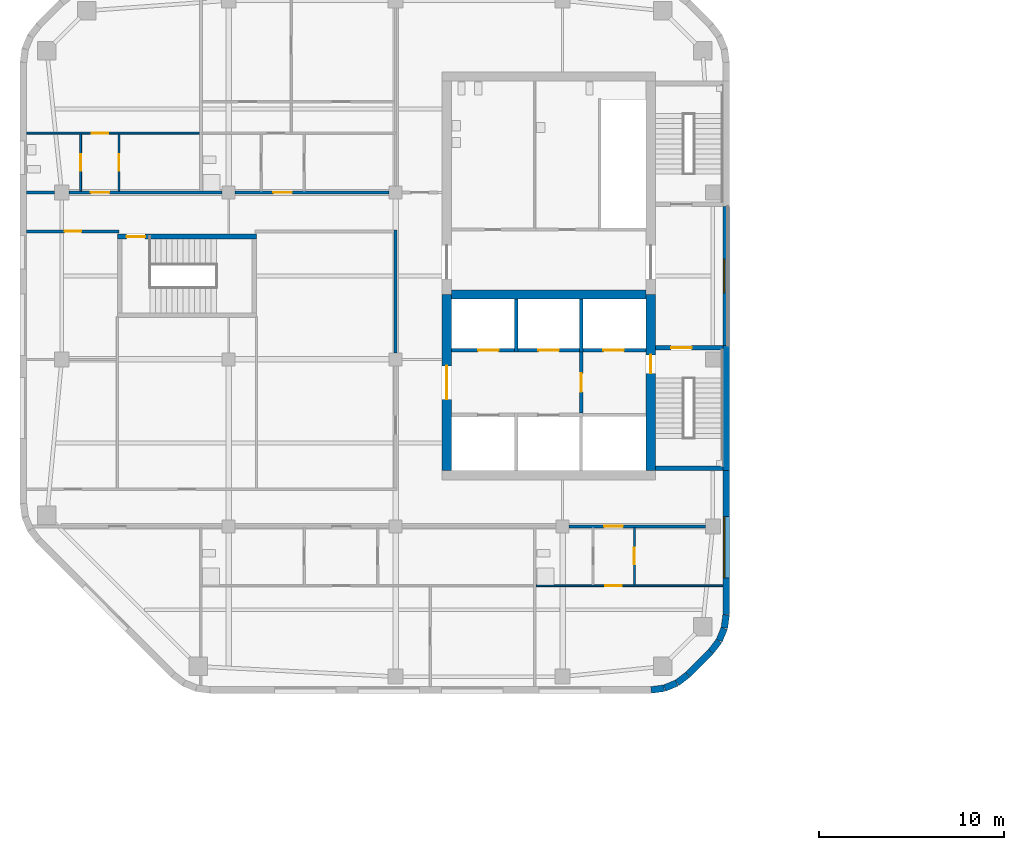
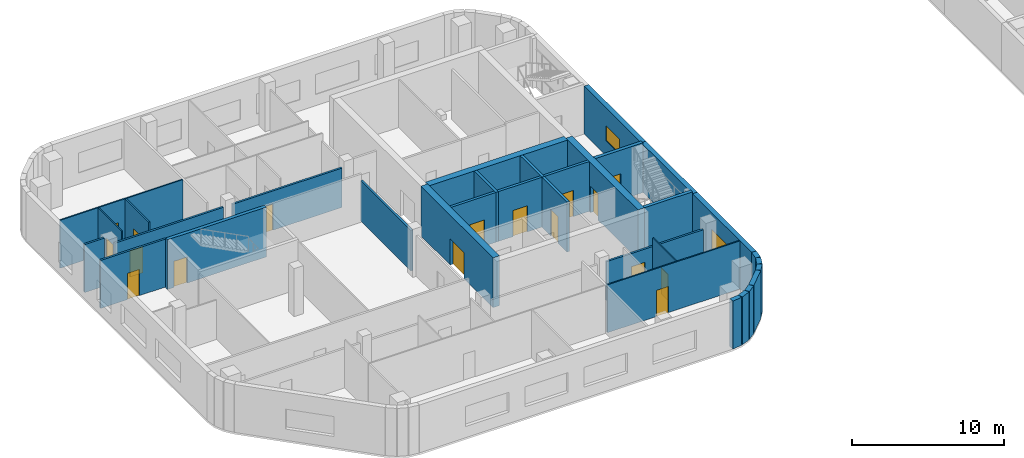
# One storey, part 6 of 16: 33 walls, 17 doors, 2 windows, 19 openings.
"""IFC4 building model written with IfcOpenShell, lengths in metres."""

from ifc_helpers import new_model, si_unit, direction, frame, frame_2d, origin, place, context, subcontext, project, spatial, rectangle, extrude, material, layer, layer_set, type_object, element, fill, save


model = new_model("IFC4")

# Units and contexts
model_context = context("Model", 3, precision=1e-05, world=origin(), true_north=direction((0.0, 1.0)))
body_context = subcontext(model_context, "Body", "Model", "MODEL_VIEW")
ifc_project = project(units=[si_unit("LENGTHUNIT", "METRE"), si_unit("AREAUNIT", "SQUARE_METRE"), si_unit("VOLUMEUNIT", "CUBIC_METRE"), si_unit("PLANEANGLEUNIT", "RADIAN"), si_unit("MASSUNIT", "GRAM", prefix="KILO")], contexts=[model_context])

# Site, building, storey
site_placement = place(None, origin())
site = spatial("IfcSite", under=ifc_project, at=site_placement, CompositionType="ELEMENT")
building_placement = place(site_placement, origin())
building = spatial("IfcBuilding", under=site, at=building_placement, Name="Cinnabar Reach Civic Tower", CompositionType="ELEMENT")
storey_placement = place(building_placement, frame((0.0, 0.0, 79.0)))
storey = spatial("IfcBuildingStorey", under=building, at=storey_placement, Name="L18", CompositionType="ELEMENT", Elevation=79.0)

# Walls
ifc_material_1 = material(Name="Facing brick with insulated backing", Category="masonry")
ifc_layer_1 = layer(ifc_material_1, 0.36)
ifc_layer_set_1 = layer_set([ifc_layer_1], Name="Brick corner wall")
wall_type_1 = type_object("IfcWallType", Name="Brick corner wall", PredefinedType="STANDARD", material=ifc_layer_set_1)
for number, where, z_axis, x_axis, name in (
    (1, (-31.2314, 9.183, 0.0), (0.0, 0.0, 1.0), (0.99144092581, 0.13055608231, 0.0), "Brick corner wall"),
    (2, (-30.5027, 9.2819, 0.0), (0.0, 0.0, 1.0), (0.923871547278, 0.382702709855, 0.0), "Brick corner wall"),
):
    element("IfcWall", number, at=place(storey_placement, frame(where, z_axis=z_axis, x_axis=x_axis)), inside=storey, type_object=wall_type_1, Name=name, PredefinedType="STANDARD", context=body_context, shape_type="SweptSolid", body=[
        extrude(rectangle(XDim=0.7131, YDim=0.36, at=frame_2d((0.3565, 0.0))), origin(), (0.0, 0.0, 1.0), 3.85),
    ])
for number, where, z_axis, x_axis, name in (
    (3, (-29.8245, 9.566, 0.0), (0.0, 0.0, 1.0), (0.793321924995, 0.608802368033, 0.0), "Brick corner wall"),
    (4, (-28.0002, 11.2587, 0.0), (0.0, 0.0, 1.0), (0.608802368033, 0.793321924995, 0.0), "Brick corner wall"),
):
    element("IfcWall", number, at=place(storey_placement, frame(where, z_axis=z_axis, x_axis=x_axis)), inside=storey, type_object=wall_type_1, Name=name, PredefinedType="STANDARD", context=body_context, shape_type="SweptSolid", body=[
        extrude(rectangle(XDim=0.7132, YDim=0.36, at=frame_2d((0.3566, 0.0))), origin(), (0.0, 0.0, 1.0), 3.85),
    ])
for number, where, z_axis, x_axis, name in (
    (5, (-27.5548, 11.8439, 0.0), (0.0, 0.0, 1.0), (0.382702709855, 0.923871547278, 0.0), "Brick corner wall"),
    (6, (-27.2761, 12.5244, 0.0), (0.0, 0.0, 1.0), (0.13055608231, 0.99144092581, 0.0), "Brick corner wall"),
):
    element("IfcWall", number, at=place(storey_placement, frame(where, z_axis=z_axis, x_axis=x_axis)), inside=storey, type_object=wall_type_1, Name=name, PredefinedType="STANDARD", context=body_context, shape_type="SweptSolid", body=[
        extrude(rectangle(XDim=0.7131, YDim=0.36, at=frame_2d((0.3565, 0.0))), origin(), (0.0, 0.0, 1.0), 3.85),
    ])
ifc_layer_2 = layer(ifc_material_1, 0.36)
ifc_layer_set_2 = layer_set([ifc_layer_2], Name="Brick pier and spandrel wall")
wall_type_2 = type_object("IfcWallType", Name="Brick pier and spandrel wall", PredefinedType="STANDARD", material=ifc_layer_set_2)
wall_1_placement = place(storey_placement, frame((-29.2486, 10.006, 0.0), z_axis=(0.0, 0.0, 1.0), x_axis=(0.707106781187, 0.707106781187, 0.0)))
element("IfcWall", 7, at=wall_1_placement, inside=storey, type_object=wall_type_2, Name="Brick facade wall", PredefinedType="STANDARD", context=body_context, shape_type="SweptSolid", body=[
    extrude(rectangle(XDim=1.7573, YDim=0.36, at=frame_2d((0.8787, 0.0))), origin(), (0.0, 0.0, 1.0), 3.85),
])

# Wall, opening, window
wall_2_placement = place(storey_placement, frame((-27.18, 13.2426, 0.0), z_axis=(0.0, 0.0, 1.0), x_axis=(0.0, 1.0, 0.0)))
wall_2 = element("IfcWall", 8, at=wall_2_placement, inside=storey, type_object=wall_type_2, Name="Brick facade wall", PredefinedType="STANDARD", context=body_context, shape_type="SweptSolid", body=[
    extrude(rectangle(XDim=7.7574, YDim=0.36, at=frame_2d((3.8787, 0.0))), origin(), (0.0, 0.0, 1.0), 3.85),
])
opening_1_placement = place(wall_2_placement, frame((1.9824, 0.0, 0.9)))
opening_1 = element("IfcOpeningElement", 9, at=opening_1_placement, cuts=wall_2, Name="Opening W2590", PredefinedType="OPENING", context=body_context, shape_type="SweptSolid", body=[
    extrude(rectangle(XDim=3.3, YDim=1.6, at=frame_2d((1.65, 0.8))), frame((0.0, 0.19, 0.0), z_axis=(0.0, -1.0, 0.0), x_axis=(1.0, 0.0, 0.0)), (0.0, 0.0, 1.0), 0.38),
])
ifc_material_2 = material(Name="Clear double glazing in aluminium frame", Category="aluminium")
window_type_1 = type_object("IfcWindowType", Name="Deep-set window A", PartitioningType="SINGLE_PANEL", PredefinedType="WINDOW", material=ifc_material_2)
window_1_placement = place(opening_1_placement, origin())
window_1 = element("IfcWindow", 10, at=window_1_placement, inside=storey, type_object=window_type_1, Name="Window east face", OverallHeight=1.6, OverallWidth=3.3, PartitioningType="SINGLE_PANEL", PredefinedType="WINDOW", context=body_context, shape_type="SweptSolid", body=[
    extrude(rectangle(XDim=3.3, YDim=1.6, at=frame_2d((1.65, 0.8))), frame((0.0, 0.13, 0.0), z_axis=(0.0, -1.0, 0.0), x_axis=(1.0, 0.0, 0.0)), (0.0, 0.0, 1.0), 0.06),
])
fill(opening_1, window_1)

# Wall
wall_3_placement = place(storey_placement, frame((-27.18, 21.0, 0.0), z_axis=(0.0, 0.0, 1.0), x_axis=(0.0, 1.0, 0.0)))
element("IfcWall", 11, at=wall_3_placement, inside=storey, type_object=wall_type_2, Name="Brick facade wall", PredefinedType="STANDARD", context=body_context, shape_type="SweptSolid", body=[
    extrude(rectangle(XDim=6.75, YDim=0.36, at=frame_2d((3.375, 0.0))), origin(), (0.0, 0.0, 1.0), 3.85),
])

# Wall, opening, window
wall_4_placement = place(storey_placement, frame((-27.18, 27.75, 0.0), z_axis=(0.0, 0.0, 1.0), x_axis=(0.0, 1.0, 0.0)))
wall_4 = element("IfcWall", 12, at=wall_4_placement, inside=storey, type_object=wall_type_2, Name="Brick facade wall", PredefinedType="STANDARD", context=body_context, shape_type="SweptSolid", body=[
    extrude(rectangle(XDim=7.5, YDim=0.36, at=frame_2d((3.75, 0.0))), origin(), (0.0, 0.0, 1.0), 3.85),
])
opening_2_placement = place(wall_4_placement, frame((2.85, 0.0, 1.2)))
opening_2 = element("IfcOpeningElement", 13, at=opening_2_placement, cuts=wall_4, Name="Opening W2591", PredefinedType="OPENING", context=body_context, shape_type="SweptSolid", body=[
    extrude(rectangle(XDim=1.8, YDim=1.2, at=frame_2d((0.9, 0.6))), frame((0.0, 0.19, 0.0), z_axis=(0.0, -1.0, 0.0), x_axis=(1.0, 0.0, 0.0)), (0.0, 0.0, 1.0), 0.38),
])
window_type_2 = type_object("IfcWindowType", Name="Deep-set window C", PartitioningType="SINGLE_PANEL", PredefinedType="WINDOW", material=ifc_material_2)
window_2_placement = place(opening_2_placement, origin())
window_2 = element("IfcWindow", 14, at=window_2_placement, inside=storey, type_object=window_type_2, Name="Window east face", OverallHeight=1.2, OverallWidth=1.8, PartitioningType="SINGLE_PANEL", PredefinedType="WINDOW", context=body_context, shape_type="SweptSolid", body=[
    extrude(rectangle(XDim=1.8, YDim=1.2, at=frame_2d((0.9, 0.6))), frame((0.0, 0.13, 0.0), z_axis=(0.0, -1.0, 0.0), x_axis=(1.0, 0.0, 0.0)), (0.0, 0.0, 1.0), 0.06),
])
fill(opening_2, window_2)

# Wall, opening, door
ifc_material_3 = material(Name="Concrete C60", Category="concrete")
ifc_layer_3 = layer(ifc_material_3, 0.5)
ifc_layer_set_3 = layer_set([ifc_layer_3], Name="Core wall 500 EI 180")
wall_type_3 = type_object("IfcWallType", Name="Core wall 500 EI 180", PredefinedType="SOLIDWALL", material=ifc_layer_set_3)
wall_5_placement = place(storey_placement, frame((-31.25, 21.0, 0.0), z_axis=(0.0, 0.0, 1.0), x_axis=(0.0, 1.0, 0.0)))
wall_5 = element("IfcWall", 15, at=wall_5_placement, inside=storey, type_object=wall_type_3, Name="Core wall T2 L18 E", PredefinedType="SOLIDWALL", context=body_context, shape_type="SweptSolid", body=[
    extrude(rectangle(XDim=9.5, YDim=0.5, at=frame_2d((4.75, 0.0))), origin(), (0.0, 0.0, 1.0), 4.0),
])
opening_3_placement = place(wall_5_placement, frame((5.25, 0.0, 0.0)))
opening_3 = element("IfcOpeningElement", 16, at=opening_3_placement, cuts=wall_5, Name="Opening D6672", PredefinedType="OPENING", context=body_context, shape_type="SweptSolid", body=[
    extrude(rectangle(XDim=1.0, YDim=2.1, at=frame_2d((0.5, 1.05))), frame((0.0, 0.26, 0.0), z_axis=(0.0, -1.0, 0.0), x_axis=(1.0, 0.0, 0.0)), (0.0, 0.0, 1.0), 0.52),
])
ifc_material_4 = material(Name="Steel fire door", Category="steel")
door_type_1 = type_object("IfcDoorType", Name="T2 Firefighting lobby door 1000", OperationType="SINGLE_SWING_LEFT", PredefinedType="DOOR", material=ifc_material_4)
door_1_placement = place(opening_3_placement, frame((1.0, 0.0, 0.0), z_axis=(0.0, 0.0, 1.0), x_axis=(-1.0, 0.0, 0.0)))
door_1 = element("IfcDoor", 17, at=door_1_placement, inside=storey, type_object=door_type_1, Name="T2 Firefighting lobby door D6672", OperationType="SINGLE_SWING_LEFT", OverallHeight=2.1, OverallWidth=1.0, PredefinedType="DOOR", context=body_context, shape_type="SweptSolid", body=[
    extrude(rectangle(XDim=1.0, YDim=2.1, at=frame_2d((0.5, 1.05))), frame((0.0, 0.025, 0.0), z_axis=(0.0, -1.0, 0.0), x_axis=(1.0, 0.0, 0.0)), (0.0, 0.0, 1.0), 0.05),
])
fill(opening_3, door_1)

wall_6_placement = place(storey_placement, frame((-42.25, 30.5, 0.0), z_axis=(0.0, 0.0, 1.0), x_axis=(0.0, -1.0, 0.0)))
wall_6 = element("IfcWall", 18, at=wall_6_placement, inside=storey, type_object=wall_type_3, Name="Core wall T2 L18 W2", PredefinedType="SOLIDWALL", context=body_context, shape_type="SweptSolid", body=[
    extrude(rectangle(XDim=9.5, YDim=0.5, at=frame_2d((4.75, 0.0))), origin(), (0.0, 0.0, 1.0), 4.0),
])
opening_4_placement = place(wall_6_placement, frame((3.85, 0.0, 0.0)))
opening_4 = element("IfcOpeningElement", 19, at=opening_4_placement, cuts=wall_6, Name="Opening D6676", PredefinedType="OPENING", context=body_context, shape_type="SweptSolid", body=[
    extrude(rectangle(XDim=1.8, YDim=2.1, at=frame_2d((0.9, 1.05))), frame((0.0, 0.26, 0.0), z_axis=(0.0, -1.0, 0.0), x_axis=(1.0, 0.0, 0.0)), (0.0, 0.0, 1.0), 0.52),
])
door_type_2 = type_object("IfcDoorType", Name="T2 Double door 1800", OperationType="DOUBLE_DOOR_SINGLE_SWING", PredefinedType="DOOR", material=ifc_material_4)
door_2_placement = place(opening_4_placement, origin())
door_2 = element("IfcDoor", 20, at=door_2_placement, inside=storey, type_object=door_type_2, Name="T2 Double door D6676", OperationType="DOUBLE_DOOR_SINGLE_SWING", OverallHeight=2.1, OverallWidth=1.8, PredefinedType="DOOR", context=body_context, shape_type="SweptSolid", body=[
    extrude(rectangle(XDim=1.8, YDim=2.1, at=frame_2d((0.9, 1.05))), frame((0.0, 0.025, 0.0), z_axis=(0.0, -1.0, 0.0), x_axis=(1.0, 0.0, 0.0)), (0.0, 0.0, 1.0), 0.05),
])
fill(opening_4, door_2)

# Wall
wall_7_placement = place(storey_placement, frame((-42.0, 30.5, 0.0), z_axis=(0.0, 0.0, 1.0), x_axis=(1.0, 0.0, 0.0)))
element("IfcWall", 21, at=wall_7_placement, inside=storey, type_object=wall_type_3, Name="Core spine wall T2 L18", PredefinedType="SOLIDWALL", context=body_context, shape_type="SweptSolid", body=[
    extrude(rectangle(XDim=10.5, YDim=0.5, at=frame_2d((5.25, 0.0))), origin(), (0.0, 0.0, 1.0), 4.0),
])

# Wall, opening, door
ifc_material_5 = material(Name="Gypsum board on steel studs, double layer", Category="steel")
ifc_layer_4 = layer(ifc_material_5, 0.15)
ifc_layer_set_4 = layer_set([ifc_layer_4], Name="Corridor wall 150 T2")
wall_type_4 = type_object("IfcWallType", Name="Corridor wall 150 T2", PredefinedType="PARTITIONING", material=ifc_layer_set_4)
wall_8_placement = place(storey_placement, frame((-35.65, 18.0, 0.0), z_axis=(0.0, 0.0, 1.0), x_axis=(1.0, 0.0, 0.0)))
wall_8 = element("IfcWall", 22, at=wall_8_placement, inside=storey, type_object=wall_type_4, Name="Corridor wall 1", PredefinedType="PARTITIONING", context=body_context, shape_type="SweptSolid", body=[
    extrude(rectangle(XDim=7.35, YDim=0.15, at=frame_2d((3.675, 0.0))), origin(), (0.0, 0.0, 1.0), 3.158),
])
opening_5_placement = place(wall_8_placement, frame((1.8934, 0.0, 0.0)))
opening_5 = element("IfcOpeningElement", 23, at=opening_5_placement, cuts=wall_8, Name="Opening D6690", PredefinedType="OPENING", context=body_context, shape_type="SweptSolid", body=[
    extrude(rectangle(XDim=1.0, YDim=2.1, at=frame_2d((0.5, 1.05))), frame((0.0, 0.085, 0.0), z_axis=(0.0, -1.0, 0.0), x_axis=(1.0, 0.0, 0.0)), (0.0, 0.0, 1.0), 0.17),
])
ifc_material_6 = material(Name="Timber door leaf in steel frame", Category="steel")
door_type_3 = type_object("IfcDoorType", Name="Tenancy entrance door 1000 x 2100 T2", OperationType="SINGLE_SWING_LEFT", PredefinedType="DOOR", material=ifc_material_6)
door_3_placement = place(opening_5_placement, frame((1.0, 0.0, 0.0), z_axis=(0.0, 0.0, 1.0), x_axis=(-1.0, 0.0, 0.0)))
door_3 = element("IfcDoor", 24, at=door_3_placement, inside=storey, type_object=door_type_3, Name="Door D6690", OperationType="SINGLE_SWING_LEFT", OverallHeight=2.1, OverallWidth=1.0, PredefinedType="DOOR", context=body_context, shape_type="SweptSolid", body=[
    extrude(rectangle(XDim=1.0, YDim=2.1, at=frame_2d((0.5, 1.05))), frame((0.0, 0.025, 0.0), z_axis=(0.0, -1.0, 0.0), x_axis=(1.0, 0.0, 0.0)), (0.0, 0.0, 1.0), 0.05),
])
fill(opening_5, door_3)

wall_9_placement = place(storey_placement, frame((-53.65, 36.0, 0.0), z_axis=(0.0, 0.0, 1.0), x_axis=(1.0, 0.0, 0.0)))
wall_9 = element("IfcWall", 25, at=wall_9_placement, inside=storey, type_object=wall_type_4, Name="Corridor wall 6", PredefinedType="PARTITIONING", context=body_context, shape_type="SweptSolid", body=[
    extrude(rectangle(XDim=8.3, YDim=0.15, at=frame_2d((4.15, 0.0))), origin(), (0.0, 0.0, 1.0), 3.158),
])
opening_6_placement = place(wall_9_placement, frame((2.055, 0.0, 0.0)))
opening_6 = element("IfcOpeningElement", 26, at=opening_6_placement, cuts=wall_9, Name="Opening D6701", PredefinedType="OPENING", context=body_context, shape_type="SweptSolid", body=[
    extrude(rectangle(XDim=1.0, YDim=2.1, at=frame_2d((0.5, 1.05))), frame((0.0, 0.085, 0.0), z_axis=(0.0, -1.0, 0.0), x_axis=(1.0, 0.0, 0.0)), (0.0, 0.0, 1.0), 0.17),
])
door_4_placement = place(opening_6_placement, origin())
door_4 = element("IfcDoor", 27, at=door_4_placement, inside=storey, type_object=door_type_3, Name="Door D6701", OperationType="SINGLE_SWING_RIGHT", OverallHeight=2.1, OverallWidth=1.0, PredefinedType="DOOR", context=body_context, shape_type="SweptSolid", body=[
    extrude(rectangle(XDim=1.0, YDim=2.1, at=frame_2d((0.5, 1.05))), frame((0.0, 0.025, 0.0), z_axis=(0.0, -1.0, 0.0), x_axis=(1.0, 0.0, 0.0)), (0.0, 0.0, 1.0), 0.05),
])
fill(opening_6, door_4)

wall_10_placement = place(storey_placement, frame((-62.6, 36.0, 0.0), z_axis=(0.0, 0.0, 1.0), x_axis=(1.0, 0.0, 0.0)))
wall_10 = element("IfcWall", 28, at=wall_10_placement, inside=storey, type_object=wall_type_4, Name="Corridor wall 7", PredefinedType="PARTITIONING", context=body_context, shape_type="SweptSolid", body=[
    extrude(rectangle(XDim=8.25, YDim=0.15, at=frame_2d((4.125, 0.0))), origin(), (0.0, 0.0, 1.0), 3.158),
])
opening_7_placement = place(wall_10_placement, frame((1.1709, 0.0, 0.0)))
opening_7 = element("IfcOpeningElement", 29, at=opening_7_placement, cuts=wall_10, Name="Opening D6694", PredefinedType="OPENING", context=body_context, shape_type="SweptSolid", body=[
    extrude(rectangle(XDim=1.0, YDim=2.1, at=frame_2d((0.5, 1.05))), frame((0.0, 0.085, 0.0), z_axis=(0.0, -1.0, 0.0), x_axis=(1.0, 0.0, 0.0)), (0.0, 0.0, 1.0), 0.17),
])
door_5_placement = place(opening_7_placement, origin())
door_5 = element("IfcDoor", 30, at=door_5_placement, inside=storey, type_object=door_type_3, Name="Door D6694", OperationType="SINGLE_SWING_RIGHT", OverallHeight=2.1, OverallWidth=1.0, PredefinedType="DOOR", context=body_context, shape_type="SweptSolid", body=[
    extrude(rectangle(XDim=1.0, YDim=2.1, at=frame_2d((0.5, 1.05))), frame((0.0, 0.025, 0.0), z_axis=(0.0, -1.0, 0.0), x_axis=(1.0, 0.0, 0.0)), (0.0, 0.0, 1.0), 0.05),
])
fill(opening_7, door_5)

# Walls
wall_11_placement = place(storey_placement, frame((-64.89, 36.0, 0.0), z_axis=(0.0, 0.0, 1.0), x_axis=(1.0, 0.0, 0.0)))
element("IfcWall", 31, at=wall_11_placement, inside=storey, type_object=wall_type_4, Name="Corridor wall 8", PredefinedType="PARTITIONING", context=body_context, shape_type="SweptSolid", body=[
    extrude(rectangle(XDim=1.49, YDim=0.15, at=frame_2d((0.745, 0.0))), origin(), (0.0, 0.0, 1.0), 3.85),
])
wall_12_placement = place(storey_placement, frame((-45.0, 27.35, 0.0), z_axis=(0.0, 0.0, 1.0), x_axis=(0.0, 1.0, 0.0)))
element("IfcWall", 32, at=wall_12_placement, inside=storey, type_object=wall_type_4, Name="Corridor wall 11", PredefinedType="PARTITIONING", context=body_context, shape_type="SweptSolid", body=[
    extrude(rectangle(XDim=6.625, YDim=0.15, at=frame_2d((3.3125, 0.0))), origin(), (0.0, 0.0, 1.0), 3.256),
])

# Wall, opening, door
wall_13_placement = place(storey_placement, frame((-64.89, 33.9, 0.0), z_axis=(0.0, 0.0, 1.0), x_axis=(1.0, 0.0, 0.0)))
wall_13 = element("IfcWall", 33, at=wall_13_placement, inside=storey, type_object=wall_type_4, Name="Corridor wall 13", PredefinedType="PARTITIONING", context=body_context, shape_type="SweptSolid", body=[
    extrude(rectangle(XDim=4.965, YDim=0.15, at=frame_2d((2.4825, 0.0))), origin(), (0.0, 0.0, 1.0), 3.85),
])
opening_8_placement = place(wall_13_placement, frame((2.05, 0.0, 0.0)))
opening_8 = element("IfcOpeningElement", 34, at=opening_8_placement, cuts=wall_13, Name="Opening D6703", PredefinedType="OPENING", context=body_context, shape_type="SweptSolid", body=[
    extrude(rectangle(XDim=0.9, YDim=2.1, at=frame_2d((0.45, 1.05))), frame((0.0, 0.085, 0.0), z_axis=(0.0, -1.0, 0.0), x_axis=(1.0, 0.0, 0.0)), (0.0, 0.0, 1.0), 0.17),
])
door_type_4 = type_object("IfcDoorType", Name="Single swing door 900 x 2100 T2", OperationType="SINGLE_SWING_LEFT", PredefinedType="DOOR", material=ifc_material_6)
door_6_placement = place(opening_8_placement, frame((0.9, 0.0, 0.0), z_axis=(0.0, 0.0, 1.0), x_axis=(-1.0, 0.0, 0.0)))
door_6 = element("IfcDoor", 35, at=door_6_placement, inside=storey, type_object=door_type_4, Name="Door D6703", OperationType="SINGLE_SWING_LEFT", OverallHeight=2.1, OverallWidth=0.9, PredefinedType="DOOR", context=body_context, shape_type="SweptSolid", body=[
    extrude(rectangle(XDim=0.9, YDim=2.1, at=frame_2d((0.45, 1.05))), frame((0.0, 0.025, 0.0), z_axis=(0.0, -1.0, 0.0), x_axis=(1.0, 0.0, 0.0)), (0.0, 0.0, 1.0), 0.05),
])
fill(opening_8, door_6)

ifc_material_7 = material(Name="Gypsum board on steel studs", Category="steel")
ifc_layer_5 = layer(ifc_material_7, 0.1)
ifc_layer_set_5 = layer_set([ifc_layer_5], Name="Partition wall 100 T2")
wall_type_5 = type_object("IfcWallType", Name="Partition wall 100 T2", PredefinedType="PARTITIONING", material=ifc_layer_set_5)
wall_14_placement = place(storey_placement, frame((-37.425, 14.8, 0.0), z_axis=(0.0, 0.0, 1.0), x_axis=(1.0, 0.0, 0.0)))
wall_14 = element("IfcWall", 36, at=wall_14_placement, inside=storey, type_object=wall_type_5, Name="Partition wall 17", PredefinedType="PARTITIONING", context=body_context, shape_type="SweptSolid", body=[
    extrude(rectangle(XDim=10.065, YDim=0.1, at=frame_2d((5.0325, 0.0))), origin(), (0.0, 0.0, 1.0), 3.85),
])
opening_9_placement = place(wall_14_placement, frame((3.7184, 0.0, 0.0)))
opening_9 = element("IfcOpeningElement", 37, at=opening_9_placement, cuts=wall_14, Name="Opening D6689", PredefinedType="OPENING", context=body_context, shape_type="SweptSolid", body=[
    extrude(rectangle(XDim=0.9, YDim=2.1, at=frame_2d((0.45, 1.05))), frame((0.0, 0.06, 0.0), z_axis=(0.0, -1.0, 0.0), x_axis=(1.0, 0.0, 0.0)), (0.0, 0.0, 1.0), 0.12),
])
door_7_placement = place(opening_9_placement, origin())
door_7 = element("IfcDoor", 38, at=door_7_placement, inside=storey, type_object=door_type_4, Name="Door D6689", OperationType="SINGLE_SWING_LEFT", OverallHeight=2.1, OverallWidth=0.9, PredefinedType="DOOR", context=body_context, shape_type="SweptSolid", body=[
    extrude(rectangle(XDim=0.9, YDim=2.1, at=frame_2d((0.45, 1.05))), frame((0.0, 0.025, 0.0), z_axis=(0.0, -1.0, 0.0), x_axis=(1.0, 0.0, 0.0)), (0.0, 0.0, 1.0), 0.05),
])
fill(opening_9, door_7)

wall_15_placement = place(storey_placement, frame((-64.89, 39.2, 0.0), z_axis=(0.0, 0.0, 1.0), x_axis=(1.0, 0.0, 0.0)))
wall_15 = element("IfcWall", 39, at=wall_15_placement, inside=storey, type_object=wall_type_5, Name="Partition wall 19", PredefinedType="PARTITIONING", context=body_context, shape_type="SweptSolid", body=[
    extrude(rectangle(XDim=9.315, YDim=0.1, at=frame_2d((4.6575, 0.0))), origin(), (0.0, 0.0, 1.0), 3.85),
])
opening_10_placement = place(wall_15_placement, frame((3.5109, 0.0, 0.0)))
opening_10 = element("IfcOpeningElement", 40, at=opening_10_placement, cuts=wall_15, Name="Opening D6693", PredefinedType="OPENING", context=body_context, shape_type="SweptSolid", body=[
    extrude(rectangle(XDim=0.9, YDim=2.1, at=frame_2d((0.45, 1.05))), frame((0.0, 0.06, 0.0), z_axis=(0.0, -1.0, 0.0), x_axis=(1.0, 0.0, 0.0)), (0.0, 0.0, 1.0), 0.12),
])
door_8_placement = place(opening_10_placement, frame((0.9, 0.0, 0.0), z_axis=(0.0, 0.0, 1.0), x_axis=(-1.0, 0.0, 0.0)))
door_8 = element("IfcDoor", 41, at=door_8_placement, inside=storey, type_object=door_type_4, Name="Door D6693", OperationType="SINGLE_SWING_LEFT", OverallHeight=2.1, OverallWidth=0.9, PredefinedType="DOOR", context=body_context, shape_type="SweptSolid", body=[
    extrude(rectangle(XDim=0.9, YDim=2.1, at=frame_2d((0.45, 1.05))), frame((0.0, 0.025, 0.0), z_axis=(0.0, -1.0, 0.0), x_axis=(1.0, 0.0, 0.0)), (0.0, 0.0, 1.0), 0.05),
])
fill(opening_10, door_8)

wall_16_placement = place(storey_placement, frame((-61.9791, 36.075, 0.0), z_axis=(0.0, 0.0, 1.0), x_axis=(0.0, 1.0, 0.0)))
wall_16 = element("IfcWall", 42, at=wall_16_placement, inside=storey, type_object=wall_type_5, Name="Partition wall 33", PredefinedType="PARTITIONING", context=body_context, shape_type="SweptSolid", body=[
    extrude(rectangle(XDim=3.075, YDim=0.1, at=frame_2d((1.5375, 0.0))), origin(), (0.0, 0.0, 1.0), 3.85),
])
opening_11_placement = place(wall_16_placement, frame((1.1, 0.0, 0.0)))
opening_11 = element("IfcOpeningElement", 43, at=opening_11_placement, cuts=wall_16, Name="Opening D6691", PredefinedType="OPENING", context=body_context, shape_type="SweptSolid", body=[
    extrude(rectangle(XDim=0.9, YDim=2.1, at=frame_2d((0.45, 1.05))), frame((0.0, 0.06, 0.0), z_axis=(0.0, -1.0, 0.0), x_axis=(1.0, 0.0, 0.0)), (0.0, 0.0, 1.0), 0.12),
])
door_9_placement = place(opening_11_placement, origin())
door_9 = element("IfcDoor", 44, at=door_9_placement, inside=storey, type_object=door_type_4, Name="Door D6691", OperationType="SINGLE_SWING_LEFT", OverallHeight=2.1, OverallWidth=0.9, PredefinedType="DOOR", context=body_context, shape_type="SweptSolid", body=[
    extrude(rectangle(XDim=0.9, YDim=2.1, at=frame_2d((0.45, 1.05))), frame((0.0, 0.025, 0.0), z_axis=(0.0, -1.0, 0.0), x_axis=(1.0, 0.0, 0.0)), (0.0, 0.0, 1.0), 0.05),
])
fill(opening_11, door_9)

wall_17_placement = place(storey_placement, frame((-59.9133, 36.075, 0.0), z_axis=(0.0, 0.0, 1.0), x_axis=(0.0, 1.0, 0.0)))
wall_17 = element("IfcWall", 45, at=wall_17_placement, inside=storey, type_object=wall_type_5, Name="Partition wall 34", PredefinedType="PARTITIONING", context=body_context, shape_type="SweptSolid", body=[
    extrude(rectangle(XDim=3.075, YDim=0.1, at=frame_2d((1.5375, 0.0))), origin(), (0.0, 0.0, 1.0), 3.85),
])
opening_12_placement = place(wall_17_placement, frame((1.1, 0.0, 0.0)))
opening_12 = element("IfcOpeningElement", 46, at=opening_12_placement, cuts=wall_17, Name="Opening D6692", PredefinedType="OPENING", context=body_context, shape_type="SweptSolid", body=[
    extrude(rectangle(XDim=0.9, YDim=2.1, at=frame_2d((0.45, 1.05))), frame((0.0, 0.06, 0.0), z_axis=(0.0, -1.0, 0.0), x_axis=(1.0, 0.0, 0.0)), (0.0, 0.0, 1.0), 0.12),
])
door_10_placement = place(opening_12_placement, origin())
door_10 = element("IfcDoor", 47, at=door_10_placement, inside=storey, type_object=door_type_4, Name="Door D6692", OperationType="SINGLE_SWING_LEFT", OverallHeight=2.1, OverallWidth=0.9, PredefinedType="DOOR", context=body_context, shape_type="SweptSolid", body=[
    extrude(rectangle(XDim=0.9, YDim=2.1, at=frame_2d((0.45, 1.05))), frame((0.0, 0.025, 0.0), z_axis=(0.0, -1.0, 0.0), x_axis=(1.0, 0.0, 0.0)), (0.0, 0.0, 1.0), 0.05),
])
fill(opening_12, door_10)

wall_18_placement = place(storey_placement, frame((-32.1258, 14.85, 0.0), z_axis=(0.0, 0.0, 1.0), x_axis=(0.0, 1.0, 0.0)))
wall_18 = element("IfcWall", 48, at=wall_18_placement, inside=storey, type_object=wall_type_5, Name="Partition wall 40", PredefinedType="PARTITIONING", context=body_context, shape_type="SweptSolid", body=[
    extrude(rectangle(XDim=3.075, YDim=0.1, at=frame_2d((1.5375, 0.0))), origin(), (0.0, 0.0, 1.0), 3.85),
])
opening_13_placement = place(wall_18_placement, frame((1.1, 0.0, 0.0)))
opening_13 = element("IfcOpeningElement", 49, at=opening_13_placement, cuts=wall_18, Name="Opening D6688", PredefinedType="OPENING", context=body_context, shape_type="SweptSolid", body=[
    extrude(rectangle(XDim=0.9, YDim=2.1, at=frame_2d((0.45, 1.05))), frame((0.0, 0.06, 0.0), z_axis=(0.0, -1.0, 0.0), x_axis=(1.0, 0.0, 0.0)), (0.0, 0.0, 1.0), 0.12),
])
door_11_placement = place(opening_13_placement, origin())
door_11 = element("IfcDoor", 50, at=door_11_placement, inside=storey, type_object=door_type_4, Name="Door D6688", OperationType="SINGLE_SWING_LEFT", OverallHeight=2.1, OverallWidth=0.9, PredefinedType="DOOR", context=body_context, shape_type="SweptSolid", body=[
    extrude(rectangle(XDim=0.9, YDim=2.1, at=frame_2d((0.45, 1.05))), frame((0.0, 0.025, 0.0), z_axis=(0.0, -1.0, 0.0), x_axis=(1.0, 0.0, 0.0)), (0.0, 0.0, 1.0), 0.05),
])
fill(opening_13, door_11)

# Wall
ifc_layer_6 = layer(ifc_material_3, 0.25)
ifc_layer_set_6 = layer_set([ifc_layer_6], Name="Stair shaft wall 250 EI 120")
wall_type_6 = type_object("IfcWallType", Name="Stair shaft wall 250 EI 120", PredefinedType="SOLIDWALL", material=ifc_layer_set_6)
wall_19_placement = place(storey_placement, frame((-31.0, 21.125, 0.0), z_axis=(0.0, 0.0, 1.0), x_axis=(1.0, 0.0, 0.0)))
element("IfcWall", 51, at=wall_19_placement, inside=storey, type_object=wall_type_6, Name="Stair shaft wall T2-S1 L18", PredefinedType="SOLIDWALL", context=body_context, shape_type="SweptSolid", body=[
    extrude(rectangle(XDim=3.64, YDim=0.25, at=frame_2d((1.82, 0.0))), origin(), (0.0, 0.0, 1.0), 4.0),
])

# Wall, opening, door
wall_20_placement = place(storey_placement, frame((-27.36, 27.625, 0.0), z_axis=(0.0, 0.0, 1.0), x_axis=(-1.0, 0.0, 0.0)))
wall_20 = element("IfcWall", 52, at=wall_20_placement, inside=storey, type_object=wall_type_6, Name="Stair shaft wall T2-S1 L18", PredefinedType="SOLIDWALL", context=body_context, shape_type="SweptSolid", body=[
    extrude(rectangle(XDim=3.64, YDim=0.25, at=frame_2d((1.82, 0.0))), origin(), (0.0, 0.0, 1.0), 4.0),
])
opening_14_placement = place(wall_20_placement, frame((1.69, 0.0, 0.0)))
opening_14 = element("IfcOpeningElement", 53, at=opening_14_placement, cuts=wall_20, Name="Opening D6673", PredefinedType="OPENING", context=body_context, shape_type="SweptSolid", body=[
    extrude(rectangle(XDim=1.1, YDim=2.1, at=frame_2d((0.55, 1.05))), frame((0.0, 0.135, 0.0), z_axis=(0.0, -1.0, 0.0), x_axis=(1.0, 0.0, 0.0)), (0.0, 0.0, 1.0), 0.27),
])
door_type_5 = type_object("IfcDoorType", Name="T2 Stair door 1100", OperationType="SINGLE_SWING_LEFT", PredefinedType="DOOR", material=ifc_material_4)
door_12_placement = place(opening_14_placement, origin())
door_12 = element("IfcDoor", 54, at=door_12_placement, inside=storey, type_object=door_type_5, Name="T2 Stair door D6673", OperationType="SINGLE_SWING_LEFT", OverallHeight=2.1, OverallWidth=1.1, PredefinedType="DOOR", context=body_context, shape_type="SweptSolid", body=[
    extrude(rectangle(XDim=1.1, YDim=2.1, at=frame_2d((0.55, 1.05))), frame((0.0, 0.025, 0.0), z_axis=(0.0, -1.0, 0.0), x_axis=(1.0, 0.0, 0.0)), (0.0, 0.0, 1.0), 0.05),
])
fill(opening_14, door_12)

wall_21_placement = place(storey_placement, frame((-52.5, 33.625, 0.0), z_axis=(0.0, 0.0, 1.0), x_axis=(-1.0, 0.0, 0.0)))
wall_21 = element("IfcWall", 55, at=wall_21_placement, inside=storey, type_object=wall_type_6, Name="Stair shaft wall T2-S3 L18", PredefinedType="SOLIDWALL", context=body_context, shape_type="SweptSolid", body=[
    extrude(rectangle(XDim=7.5, YDim=0.25, at=frame_2d((3.75, 0.0))), origin(), (0.0, 0.0, 1.0), 4.0),
])
opening_15_placement = place(wall_21_placement, frame((6.0, 0.0, 0.0)))
opening_15 = element("IfcOpeningElement", 56, at=opening_15_placement, cuts=wall_21, Name="Opening D6706", PredefinedType="OPENING", context=body_context, shape_type="SweptSolid", body=[
    extrude(rectangle(XDim=1.0, YDim=2.1, at=frame_2d((0.5, 1.05))), frame((0.0, 0.135, 0.0), z_axis=(0.0, -1.0, 0.0), x_axis=(1.0, 0.0, 0.0)), (0.0, 0.0, 1.0), 0.27),
])
door_type_6 = type_object("IfcDoorType", Name="Stair door 1000 x 2100 T2", OperationType="SINGLE_SWING_LEFT", PredefinedType="DOOR", material=ifc_material_6)
door_13_placement = place(opening_15_placement, origin())
door_13 = element("IfcDoor", 57, at=door_13_placement, inside=storey, type_object=door_type_6, Name="Door D6706", OperationType="SINGLE_SWING_RIGHT", OverallHeight=2.1, OverallWidth=1.0, PredefinedType="DOOR", context=body_context, shape_type="SweptSolid", body=[
    extrude(rectangle(XDim=1.0, YDim=2.1, at=frame_2d((0.5, 1.05))), frame((0.0, 0.025, 0.0), z_axis=(0.0, -1.0, 0.0), x_axis=(1.0, 0.0, 0.0)), (0.0, 0.0, 1.0), 0.05),
])
fill(opening_15, door_13)

# Wall
ifc_material_8 = material(Name="Concrete C40", Category="concrete")
ifc_layer_7 = layer(ifc_material_8, 0.2)
ifc_layer_set_7 = layer_set([ifc_layer_7], Name="T2 Shaft wall 200")
wall_type_7 = type_object("IfcWallType", Name="T2 Shaft wall 200", PredefinedType="SOLIDWALL", material=ifc_layer_set_7)
wall_22_placement = place(storey_placement, frame((-38.5, 27.4, 0.0), z_axis=(0.0, 0.0, 1.0), x_axis=(0.0, 1.0, 0.0)))
element("IfcWall", 58, at=wall_22_placement, inside=storey, type_object=wall_type_7, Name="T2 Shaft wall L18 004", PredefinedType="SOLIDWALL", context=body_context, shape_type="SweptSolid", body=[
    extrude(rectangle(XDim=2.85, YDim=0.2, at=frame_2d((1.425, 0.0))), origin(), (0.0, 0.0, 1.0), 4.0),
])

# Wall, opening, door
wall_23_placement = place(storey_placement, frame((-42.0, 27.5, 0.0), z_axis=(0.0, 0.0, 1.0), x_axis=(1.0, 0.0, 0.0)))
wall_23 = element("IfcWall", 59, at=wall_23_placement, inside=storey, type_object=wall_type_7, Name="T2 Shaft wall L18 005", PredefinedType="SOLIDWALL", context=body_context, shape_type="SweptSolid", body=[
    extrude(rectangle(XDim=3.4, YDim=0.2, at=frame_2d((1.7, 0.0))), origin(), (0.0, 0.0, 1.0), 4.0),
])
opening_16_placement = place(wall_23_placement, frame((1.45, 0.0, 0.0)))
opening_16 = element("IfcOpeningElement", 60, at=opening_16_placement, cuts=wall_23, Name="Opening D6668", PredefinedType="OPENING", context=body_context, shape_type="SweptSolid", body=[
    extrude(rectangle(XDim=1.1, YDim=2.1, at=frame_2d((0.55, 1.05))), frame((0.0, 0.11, 0.0), z_axis=(0.0, -1.0, 0.0), x_axis=(1.0, 0.0, 0.0)), (0.0, 0.0, 1.0), 0.22),
])
door_type_7 = type_object("IfcDoorType", Name="T2 Lift landing door 1100", OperationType="SLIDING_TO_LEFT", PredefinedType="DOOR", material=ifc_material_4)
door_14_placement = place(opening_16_placement, origin())
door_14 = element("IfcDoor", 61, at=door_14_placement, inside=storey, type_object=door_type_7, Name="T2 Lift landing door D6668", OperationType="SLIDING_TO_LEFT", OverallHeight=2.1, OverallWidth=1.1, PredefinedType="DOOR", context=body_context, shape_type="SweptSolid", body=[
    extrude(rectangle(XDim=1.1, YDim=2.1, at=frame_2d((0.55, 1.05))), frame((0.0, 0.025, 0.0), z_axis=(0.0, -1.0, 0.0), x_axis=(1.0, 0.0, 0.0)), (0.0, 0.0, 1.0), 0.05),
])
fill(opening_16, door_14)

# Wall
wall_24_placement = place(storey_placement, frame((-35.0, 27.4, 0.0), z_axis=(0.0, 0.0, 1.0), x_axis=(0.0, 1.0, 0.0)))
element("IfcWall", 62, at=wall_24_placement, inside=storey, type_object=wall_type_7, Name="T2 Shaft wall L18 006", PredefinedType="SOLIDWALL", context=body_context, shape_type="SweptSolid", body=[
    extrude(rectangle(XDim=2.85, YDim=0.2, at=frame_2d((1.425, 0.0))), origin(), (0.0, 0.0, 1.0), 4.0),
])

# Wall, opening, door
wall_25_placement = place(storey_placement, frame((-38.4, 27.5, 0.0), z_axis=(0.0, 0.0, 1.0), x_axis=(1.0, 0.0, 0.0)))
wall_25 = element("IfcWall", 63, at=wall_25_placement, inside=storey, type_object=wall_type_7, Name="T2 Shaft wall L18 007", PredefinedType="SOLIDWALL", context=body_context, shape_type="SweptSolid", body=[
    extrude(rectangle(XDim=3.3, YDim=0.2, at=frame_2d((1.65, 0.0))), origin(), (0.0, 0.0, 1.0), 4.0),
])
opening_17_placement = place(wall_25_placement, frame((1.1, 0.0, 0.0)))
opening_17 = element("IfcOpeningElement", 64, at=opening_17_placement, cuts=wall_25, Name="Opening D6669", PredefinedType="OPENING", context=body_context, shape_type="SweptSolid", body=[
    extrude(rectangle(XDim=1.1, YDim=2.1, at=frame_2d((0.55, 1.05))), frame((0.0, 0.11, 0.0), z_axis=(0.0, -1.0, 0.0), x_axis=(1.0, 0.0, 0.0)), (0.0, 0.0, 1.0), 0.22),
])
door_15_placement = place(opening_17_placement, origin())
door_15 = element("IfcDoor", 65, at=door_15_placement, inside=storey, type_object=door_type_7, Name="T2 Lift landing door D6669", OperationType="SLIDING_TO_LEFT", OverallHeight=2.1, OverallWidth=1.1, PredefinedType="DOOR", context=body_context, shape_type="SweptSolid", body=[
    extrude(rectangle(XDim=1.1, YDim=2.1, at=frame_2d((0.55, 1.05))), frame((0.0, 0.025, 0.0), z_axis=(0.0, -1.0, 0.0), x_axis=(1.0, 0.0, 0.0)), (0.0, 0.0, 1.0), 0.05),
])
fill(opening_17, door_15)

wall_26_placement = place(storey_placement, frame((-34.9, 27.5, 0.0), z_axis=(0.0, 0.0, 1.0), x_axis=(1.0, 0.0, 0.0)))
wall_26 = element("IfcWall", 66, at=wall_26_placement, inside=storey, type_object=wall_type_7, Name="T2 Shaft wall L18 008", PredefinedType="SOLIDWALL", context=body_context, shape_type="SweptSolid", body=[
    extrude(rectangle(XDim=3.4, YDim=0.2, at=frame_2d((1.7, 0.0))), origin(), (0.0, 0.0, 1.0), 4.0),
])
opening_18_placement = place(wall_26_placement, frame((1.1, 0.0, 0.0)))
opening_18 = element("IfcOpeningElement", 67, at=opening_18_placement, cuts=wall_26, Name="Opening D6670", PredefinedType="OPENING", context=body_context, shape_type="SweptSolid", body=[
    extrude(rectangle(XDim=1.1, YDim=2.1, at=frame_2d((0.55, 1.05))), frame((0.0, 0.11, 0.0), z_axis=(0.0, -1.0, 0.0), x_axis=(1.0, 0.0, 0.0)), (0.0, 0.0, 1.0), 0.22),
])
door_type_8 = type_object("IfcDoorType", Name="T2 Firefighting lift landing door 1100", OperationType="SLIDING_TO_LEFT", PredefinedType="DOOR", material=ifc_material_4)
door_16_placement = place(opening_18_placement, origin())
door_16 = element("IfcDoor", 68, at=door_16_placement, inside=storey, type_object=door_type_8, Name="T2 Firefighting lift landing door D6670", OperationType="SLIDING_TO_LEFT", OverallHeight=2.1, OverallWidth=1.1, PredefinedType="DOOR", context=body_context, shape_type="SweptSolid", body=[
    extrude(rectangle(XDim=1.1, YDim=2.1, at=frame_2d((0.55, 1.05))), frame((0.0, 0.025, 0.0), z_axis=(0.0, -1.0, 0.0), x_axis=(1.0, 0.0, 0.0)), (0.0, 0.0, 1.0), 0.05),
])
fill(opening_18, door_16)

wall_27_placement = place(storey_placement, frame((-35.0, 24.1, 0.0), z_axis=(0.0, 0.0, 1.0), x_axis=(0.0, 1.0, 0.0)))
wall_27 = element("IfcWall", 69, at=wall_27_placement, inside=storey, type_object=wall_type_7, Name="T2 Shaft wall L18 009", PredefinedType="SOLIDWALL", context=body_context, shape_type="SweptSolid", body=[
    extrude(rectangle(XDim=3.3, YDim=0.2, at=frame_2d((1.65, 0.0))), origin(), (0.0, 0.0, 1.0), 4.0),
])
opening_19_placement = place(wall_27_placement, frame((1.15, 0.0, 0.0)))
opening_19 = element("IfcOpeningElement", 70, at=opening_19_placement, cuts=wall_27, Name="Opening D6671", PredefinedType="OPENING", context=body_context, shape_type="SweptSolid", body=[
    extrude(rectangle(XDim=1.0, YDim=2.1, at=frame_2d((0.5, 1.05))), frame((0.0, 0.11, 0.0), z_axis=(0.0, -1.0, 0.0), x_axis=(1.0, 0.0, 0.0)), (0.0, 0.0, 1.0), 0.22),
])
door_17_placement = place(opening_19_placement, origin())
door_17 = element("IfcDoor", 71, at=door_17_placement, inside=storey, type_object=door_type_1, Name="T2 Firefighting lobby door D6671", OperationType="SINGLE_SWING_RIGHT", OverallHeight=2.1, OverallWidth=1.0, PredefinedType="DOOR", context=body_context, shape_type="SweptSolid", body=[
    extrude(rectangle(XDim=1.0, YDim=2.1, at=frame_2d((0.5, 1.05))), frame((0.0, 0.025, 0.0), z_axis=(0.0, -1.0, 0.0), x_axis=(1.0, 0.0, 0.0)), (0.0, 0.0, 1.0), 0.05),
])
fill(opening_19, door_17)

save(model, "model.ifc")
